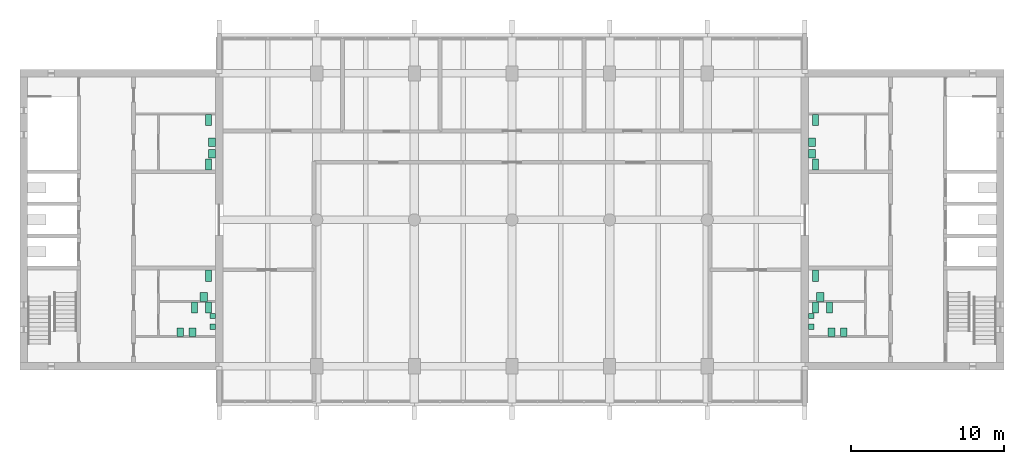
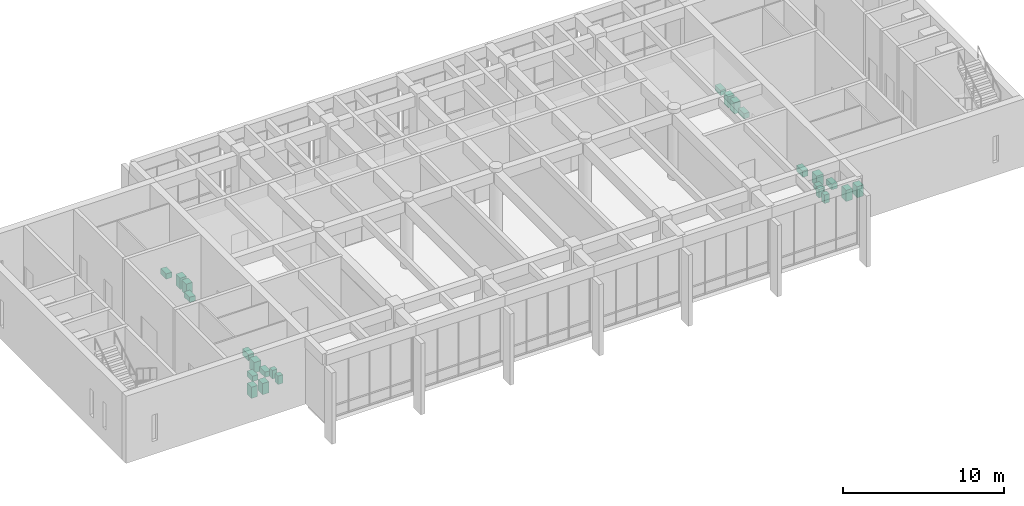
# One storey, part 10 of 10: 24 sanitary terminals.
"""IFC4 building model written with IfcOpenShell, lengths in metres."""

from ifc_helpers import new_model, si_unit, direction, frame, origin, origin_2d, place, context, subcontext, project, spatial, rectangle, extrude, material, type_object, element, save


model = new_model("IFC4")

# Units and contexts
model_context = context("Model", 3, precision=1e-05, world=origin(), true_north=direction((0.0, 1.0)))
body_context = subcontext(model_context, "Body", "Model", "MODEL_VIEW")
ifc_project = project(units=[si_unit("LENGTHUNIT", "METRE"), si_unit("AREAUNIT", "SQUARE_METRE"), si_unit("VOLUMEUNIT", "CUBIC_METRE"), si_unit("PLANEANGLEUNIT", "RADIAN"), si_unit("MASSUNIT", "GRAM", prefix="KILO")], contexts=[model_context])

# Site, building, storey
site_placement = place(None, origin())
site = spatial("IfcSite", under=ifc_project, at=site_placement, CompositionType="ELEMENT")
building_placement = place(site_placement, origin())
building = spatial("IfcBuilding", under=site, at=building_placement, Name="Fogon Plaza Fire Station and Headquarters Tower", CompositionType="ELEMENT")
storey_placement = place(building_placement, frame((0.0, 0.0, 64.199951171875)))
storey = spatial("IfcBuildingStorey", under=building, at=storey_placement, Name="L16", CompositionType="ELEMENT", Elevation=64.199951171875)

# Sanitary terminals
ifc_material_1 = material(Name="Vitreous china")
sanitary_terminal_type_1 = type_object("IfcSanitaryTerminalType", Name="Accessible Hand Basin 600x500", PredefinedType="WASHHANDBASIN", material=ifc_material_1)
for number, where, z_axis, x_axis, name in (
    (1, (24.60009765625, 38.14990234375, 0.0), (0.0, 0.0, 1.0), (1.0, 0.0, 0.0), "Accessible Hand Basin"),
    (2, (65.0, 38.14990234375, 0.0), (0.0, 0.0, 1.0), (1.0, 0.0, 0.0), "Accessible Hand Basin"),
):
    element("IfcSanitaryTerminal", number, at=place(storey_placement, frame(where, z_axis=z_axis, x_axis=x_axis)), inside=storey, type_object=sanitary_terminal_type_1, Name=name, PredefinedType="WASHHANDBASIN", context=body_context, shape_type="SweptSolid", body=[
        extrude(rectangle(XDim=0.5, YDim=0.60009765625, at=origin_2d()), origin(), (0.0, 0.0, 1.0), 0.800048828125),
    ])
ifc_material_2 = material(Name="Vitreous china")
sanitary_terminal_type_2 = type_object("IfcSanitaryTerminalType", Name="Accessible WC Pan 400x750", PredefinedType="TOILETPAN", material=ifc_material_2)
for number, where, z_axis, x_axis, name in (
    (3, (24.89990234375, 39.550048828125, 0.0), (0.0, 0.0, 1.0), (1.0, 0.0, 0.0), "Accessible WC Pan"),
    (4, (64.699951171875, 39.550048828125, 0.0), (0.0, 0.0, 1.0), (1.0, 0.0, 0.0), "Accessible WC Pan"),
):
    element("IfcSanitaryTerminal", number, at=place(storey_placement, frame(where, z_axis=z_axis, x_axis=x_axis)), inside=storey, type_object=sanitary_terminal_type_2, Name=name, PredefinedType="TOILETPAN", context=body_context, shape_type="SweptSolid", body=[
        extrude(rectangle(XDim=0.39990234375, YDim=0.75, at=origin_2d()), origin(), (0.0, 0.0, 1.0), 0.47998046875),
    ])
ifc_material_3 = material(Name="Vitreous china")
sanitary_terminal_type_3 = type_object("IfcSanitaryTerminalType", Name="Hand Basin 550x450", PredefinedType="WASHHANDBASIN", material=ifc_material_3)
for number, where, z_axis, x_axis, name in (
    (5, (23.85009765625, 35.824951171875, 0.0), (0.0, 0.0, 1.0), (1.0, 0.0, 0.0), "Hand Basin"),
    (6, (23.050048828125, 35.824951171875, 0.0), (0.0, 0.0, 1.0), (1.0, 0.0, 0.0), "Hand Basin"),
    (7, (25.125, 47.52490234375, 0.0), (0.0, 0.0, 1.0), (1.0, 0.0, 0.0), "Hand Basin"),
    (8, (25.125, 48.27490234375, 0.0), (0.0, 0.0, 1.0), (1.0, 0.0, 0.0), "Hand Basin"),
    (9, (65.75, 35.824951171875, 0.0), (0.0, 0.0, 1.0), (1.0, 0.0, 0.0), "Hand Basin"),
    (10, (66.550048828125, 35.824951171875, 0.0), (0.0, 0.0, 1.0), (1.0, 0.0, 0.0), "Hand Basin"),
    (11, (64.47509765625, 47.52490234375, 0.0), (0.0, 0.0, 1.0), (1.0, 0.0, 0.0), "Hand Basin"),
    (12, (64.47509765625, 48.27490234375, 0.0), (0.0, 0.0, 1.0), (1.0, 0.0, 0.0), "Hand Basin"),
):
    element("IfcSanitaryTerminal", number, at=place(storey_placement, frame(where, z_axis=z_axis, x_axis=x_axis)), inside=storey, type_object=sanitary_terminal_type_3, Name=name, PredefinedType="WASHHANDBASIN", context=body_context, shape_type="SweptSolid", body=[
        extrude(rectangle(XDim=0.449951171875, YDim=0.550048828125, at=origin_2d()), origin(), (0.0, 0.0, 1.0), 0.85009765625),
    ])
ifc_material_4 = material(Name="Vitreous china")
sanitary_terminal_type_4 = type_object("IfcSanitaryTerminalType", Name="Urinal 350x350", PredefinedType="URINAL", material=ifc_material_4)
for number, where, z_axis, x_axis, name in (
    (13, (25.175048828125, 36.199951171875, 0.0), (0.0, 0.0, 1.0), (1.0, 0.0, 0.0), "Urinal"),
    (14, (25.175048828125, 36.89990234375, 0.0), (0.0, 0.0, 1.0), (1.0, 0.0, 0.0), "Urinal"),
    (15, (64.425048828125, 36.199951171875, 0.0), (0.0, 0.0, 1.0), (1.0, 0.0, 0.0), "Urinal"),
    (16, (64.425048828125, 36.89990234375, 0.0), (0.0, 0.0, 1.0), (1.0, 0.0, 0.0), "Urinal"),
):
    element("IfcSanitaryTerminal", number, at=place(storey_placement, frame(where, z_axis=z_axis, x_axis=x_axis)), inside=storey, type_object=sanitary_terminal_type_4, Name=name, PredefinedType="URINAL", context=body_context, shape_type="SweptSolid", body=[
        extrude(rectangle(XDim=0.35009765625, YDim=0.35009765625, at=origin_2d()), origin(), (0.0, 0.0, 1.0), 0.64990234375),
    ])
ifc_material_5 = material(Name="Vitreous china")
sanitary_terminal_type_5 = type_object("IfcSanitaryTerminalType", Name="WC Pan 400x700", PredefinedType="TOILETPAN", material=ifc_material_5)
for number, where, z_axis, x_axis, name in (
    (17, (24.89990234375, 37.449951171875, 0.0), (0.0, 0.0, 1.0), (1.0, 0.0, 0.0), "WC Pan"),
    (18, (24.0, 37.449951171875, 0.0), (0.0, 0.0, 1.0), (1.0, 0.0, 0.0), "WC Pan"),
    (19, (24.89990234375, 49.75, 0.0), (0.0, 0.0, 1.0), (1.0, 0.0, 0.0), "WC Pan"),
    (20, (24.89990234375, 46.824951171875, 0.0), (0.0, 0.0, 1.0), (1.0, 0.0, 0.0), "WC Pan"),
    (21, (64.699951171875, 37.449951171875, 0.0), (0.0, 0.0, 1.0), (1.0, 0.0, 0.0), "WC Pan"),
    (22, (65.60009765625, 37.449951171875, 0.0), (0.0, 0.0, 1.0), (1.0, 0.0, 0.0), "WC Pan"),
    (23, (64.699951171875, 49.75, 0.0), (0.0, 0.0, 1.0), (1.0, 0.0, 0.0), "WC Pan"),
    (24, (64.699951171875, 46.824951171875, 0.0), (0.0, 0.0, 1.0), (1.0, 0.0, 0.0), "WC Pan"),
):
    element("IfcSanitaryTerminal", number, at=place(storey_placement, frame(where, z_axis=z_axis, x_axis=x_axis)), inside=storey, type_object=sanitary_terminal_type_5, Name=name, PredefinedType="TOILETPAN", context=body_context, shape_type="SweptSolid", body=[
        extrude(rectangle(XDim=0.39990234375, YDim=0.699951171875, at=origin_2d()), origin(), (0.0, 0.0, 1.0), 0.39990234375),
    ])

save(model, "model.ifc")
